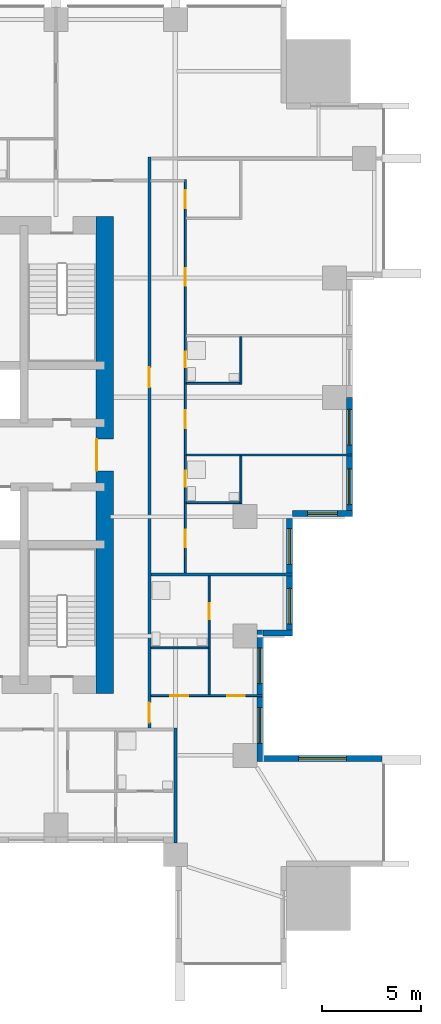
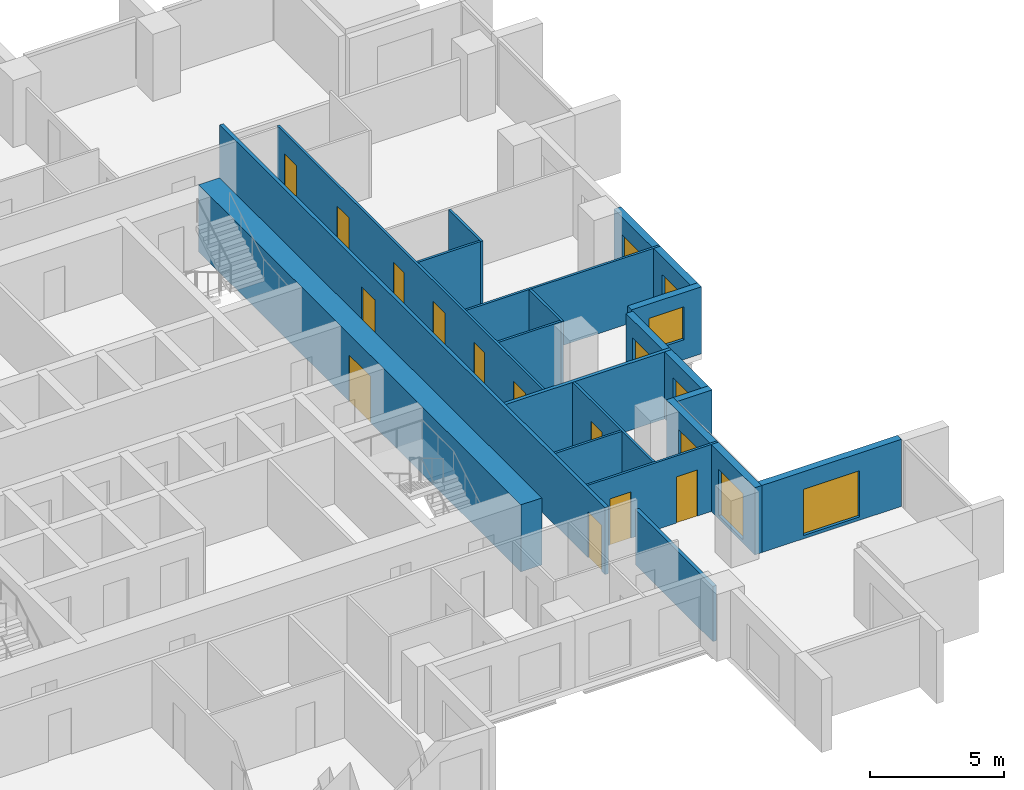
# One storey, part 6 of 10: 19 walls, 12 doors, 8 windows, 20 openings.
"""IFC4 building model written with IfcOpenShell, lengths in metres."""

from ifc_helpers import new_model, si_unit, direction, frame, frame_2d, origin, place, context, subcontext, project, spatial, rectangle, extrude, material, layer, layer_set, type_object, element, fill, save


model = new_model("IFC4")

# Units and contexts
model_context = context("Model", 3, precision=1e-05, world=origin(), true_north=direction((0.0, 1.0)))
body_context = subcontext(model_context, "Body", "Model", "MODEL_VIEW")
ifc_project = project(units=[si_unit("LENGTHUNIT", "METRE"), si_unit("AREAUNIT", "SQUARE_METRE"), si_unit("VOLUMEUNIT", "CUBIC_METRE"), si_unit("PLANEANGLEUNIT", "RADIAN"), si_unit("MASSUNIT", "GRAM", prefix="KILO")], contexts=[model_context])

# Site, building, storey
site_placement = place(None, origin())
site = spatial("IfcSite", under=ifc_project, at=site_placement, CompositionType="ELEMENT")
building_placement = place(site_placement, origin())
building = spatial("IfcBuilding", under=site, at=building_placement, Name="Amberfall Residences", CompositionType="ELEMENT")
storey_placement = place(building_placement, frame((0.0, 0.0, 49.89990234375)))
storey = spatial("IfcBuildingStorey", under=building, at=storey_placement, Name="L13", CompositionType="ELEMENT", Elevation=49.89990234375)

# Wall, opening, window
ifc_material_1 = material(Name="Pale stone cladding on insulated backing", Category="masonry")
ifc_layer_1 = layer(ifc_material_1, 0.300048828125)
ifc_layer_set_1 = layer_set([ifc_layer_1], Name="Bronze clad wall 300")
wall_type_1 = type_object("IfcWallType", Name="Bronze clad wall 300", PredefinedType="SOLIDWALL", material=ifc_layer_set_1)
wall_1_placement = place(storey_placement, frame((100.0, 30.25, 0.0), z_axis=(0.0, 0.0, 1.0), x_axis=(-1.0, 0.0, 0.0)))
wall_1 = element("IfcWall", 1, at=wall_1_placement, inside=storey, type_object=wall_type_1, Name="External wall L13 E", PredefinedType="SOLIDWALL", context=body_context, shape_type="SweptSolid", body=[
    extrude(rectangle(XDim=6.0, YDim=0.300048828125, at=frame_2d((3.0, 0.0))), origin(), (0.0, 0.0, 1.0), 3.050048828125),
])
opening_1_placement = place(wall_1_placement, frame((1.800048828125, 0.0, 0.14990234375)))
opening_1 = element("IfcOpeningElement", 2, at=opening_1_placement, cuts=wall_1, Name="Opening WN5", PredefinedType="OPENING", context=body_context, shape_type="SweptSolid", body=[
    extrude(rectangle(XDim=2.39990234375, YDim=2.10009765625, at=frame_2d((1.199951171875, 1.050048828125))), frame((0.0, 0.159912109375, 0.0), z_axis=(0.0, -1.0, 0.0), x_axis=(1.0, 0.0, 0.0)), (0.0, 0.0, 1.0), 0.320068359375),
])
ifc_material_2 = material(Name="Bronze aluminium framed glazing", Category="aluminium")
window_type_1 = type_object("IfcWindowType", Name="Glazed opening 2400 x 2100 bronze", PartitioningType="DOUBLE_PANEL_VERTICAL", PredefinedType="WINDOW", material=ifc_material_2)
window_1_placement = place(opening_1_placement, origin())
window_1 = element("IfcWindow", 3, at=window_1_placement, inside=storey, type_object=window_type_1, Name="Window L13 E", OverallHeight=2.10009765625, OverallWidth=2.39990234375, PartitioningType="DOUBLE_PANEL_VERTICAL", PredefinedType="WINDOW", context=body_context, shape_type="SweptSolid", body=[
    extrude(rectangle(XDim=2.39990234375, YDim=2.10009765625, at=frame_2d((1.199951171875, 1.050048828125))), frame((0.0, 0.030029296875, 0.0), z_axis=(0.0, -1.0, 0.0), x_axis=(1.0, 0.0, 0.0)), (0.0, 0.0, 1.0), 0.06005859375),
])
fill(opening_1, window_1)

# Wall
wall_2_placement = place(storey_placement, frame((94.0, 36.550048828125, 0.0), z_axis=(0.0, 0.0, 1.0), x_axis=(1.0, 0.0, 0.0)))
element("IfcWall", 4, at=wall_2_placement, inside=storey, type_object=wall_type_1, Name="External wall L13 E", PredefinedType="SOLIDWALL", context=body_context, shape_type="SweptSolid", body=[
    extrude(rectangle(XDim=1.5, YDim=0.300048828125, at=frame_2d((0.75, 0.0))), origin(), (0.0, 0.0, 1.0), 3.050048828125),
])

# Wall, opening, window
wall_3_placement = place(storey_placement, frame((95.5, 42.550048828125, 0.0), z_axis=(0.0, 0.0, 1.0), x_axis=(1.0, 0.0, 0.0)))
wall_3 = element("IfcWall", 5, at=wall_3_placement, inside=storey, type_object=wall_type_1, Name="External wall L13 E", PredefinedType="SOLIDWALL", context=body_context, shape_type="SweptSolid", body=[
    extrude(rectangle(XDim=3.0, YDim=0.300048828125, at=frame_2d((1.5, 0.0))), origin(), (0.0, 0.0, 1.0), 3.050048828125),
])
opening_2_placement = place(wall_3_placement, frame((0.75, 0.0, 0.89990234375)))
opening_2 = element("IfcOpeningElement", 6, at=opening_2_placement, cuts=wall_3, Name="Opening WN1", PredefinedType="OPENING", context=body_context, shape_type="SweptSolid", body=[
    extrude(rectangle(XDim=1.5, YDim=1.5, at=frame_2d((0.75, 0.75))), frame((0.0, 0.159912109375, 0.0), z_axis=(0.0, -1.0, 0.0), x_axis=(1.0, 0.0, 0.0)), (0.0, 0.0, 1.0), 0.320068359375),
])
window_type_2 = type_object("IfcWindowType", Name="Window 1500 x 1500 bronze", PartitioningType="DOUBLE_PANEL_VERTICAL", PredefinedType="WINDOW", material=ifc_material_2)
window_2_placement = place(opening_2_placement, origin())
window_2 = element("IfcWindow", 7, at=window_2_placement, inside=storey, type_object=window_type_2, Name="Window L13 E", OverallHeight=1.5, OverallWidth=1.5, PartitioningType="DOUBLE_PANEL_VERTICAL", PredefinedType="WINDOW", context=body_context, shape_type="SweptSolid", body=[
    extrude(rectangle(XDim=1.5, YDim=1.5, at=frame_2d((0.75, 0.75))), frame((0.0, 0.030029296875, 0.0), z_axis=(0.0, -1.0, 0.0), x_axis=(1.0, 0.0, 0.0)), (0.0, 0.0, 1.0), 0.06005859375),
])
fill(opening_2, window_2)

# Wall, openings, windows
wall_4_placement = place(storey_placement, frame((93.85009765625, 30.10009765625, 0.0), z_axis=(0.0, 0.0, 1.0), x_axis=(0.0, 1.0, 0.0)))
wall_4 = element("IfcWall", 8, at=wall_4_placement, inside=storey, type_object=wall_type_1, Name="Stone wall L13 E", PredefinedType="SOLIDWALL", context=body_context, shape_type="SweptSolid", body=[
    extrude(rectangle(XDim=6.599853515625, YDim=0.300048828125, at=frame_2d((3.2998046875, 0.0))), origin(), (0.0, 0.0, 1.0), 3.050048828125),
])
opening_3_placement = place(wall_4_placement, frame((0.89990234375, 0.0, 0.14990234375)))
opening_3 = element("IfcOpeningElement", 9, at=opening_3_placement, cuts=wall_4, Name="Opening WN6", PredefinedType="OPENING", context=body_context, shape_type="SweptSolid", body=[
    extrude(rectangle(XDim=1.800048828125, YDim=2.10009765625, at=frame_2d((0.89990234375, 1.050048828125))), frame((0.0, 0.159912109375, 0.0), z_axis=(0.0, -1.0, 0.0), x_axis=(1.0, 0.0, 0.0)), (0.0, 0.0, 1.0), 0.320068359375),
])
opening_4_placement = place(wall_4_placement, frame((3.89990234375, 0.0, 0.14990234375)))
opening_4 = element("IfcOpeningElement", 10, at=opening_4_placement, cuts=wall_4, Name="Opening WN6", PredefinedType="OPENING", context=body_context, shape_type="SweptSolid", body=[
    extrude(rectangle(XDim=1.800048828125, YDim=2.10009765625, at=frame_2d((0.89990234375, 1.050048828125))), frame((0.0, 0.159912109375, 0.0), z_axis=(0.0, -1.0, 0.0), x_axis=(1.0, 0.0, 0.0)), (0.0, 0.0, 1.0), 0.320068359375),
])
window_type_3 = type_object("IfcWindowType", Name="Glazed opening 1800 x 2100 bronze", PartitioningType="DOUBLE_PANEL_VERTICAL", PredefinedType="WINDOW", material=ifc_material_2)
window_3_placement = place(opening_3_placement, origin())
window_3 = element("IfcWindow", 11, at=window_3_placement, inside=storey, type_object=window_type_3, Name="Window L13 E", OverallHeight=2.10009765625, OverallWidth=1.800048828125, PartitioningType="DOUBLE_PANEL_VERTICAL", PredefinedType="WINDOW", context=body_context, shape_type="SweptSolid", body=[
    extrude(rectangle(XDim=1.800048828125, YDim=2.10009765625, at=frame_2d((0.89990234375, 1.050048828125))), frame((0.0, 0.030029296875, 0.0), z_axis=(0.0, -1.0, 0.0), x_axis=(1.0, 0.0, 0.0)), (0.0, 0.0, 1.0), 0.06005859375),
])
fill(opening_3, window_3)
window_4_placement = place(opening_4_placement, origin())
window_4 = element("IfcWindow", 12, at=window_4_placement, inside=storey, type_object=window_type_3, Name="Window L13 E", OverallHeight=2.10009765625, OverallWidth=1.800048828125, PartitioningType="DOUBLE_PANEL_VERTICAL", PredefinedType="WINDOW", context=body_context, shape_type="SweptSolid", body=[
    extrude(rectangle(XDim=1.800048828125, YDim=2.10009765625, at=frame_2d((0.89990234375, 1.050048828125))), frame((0.0, 0.030029296875, 0.0), z_axis=(0.0, -1.0, 0.0), x_axis=(1.0, 0.0, 0.0)), (0.0, 0.0, 1.0), 0.06005859375),
])
fill(opening_4, window_4)

wall_5_placement = place(storey_placement, frame((95.35009765625, 36.699951171875, 0.0), z_axis=(0.0, 0.0, 1.0), x_axis=(0.0, 1.0, 0.0)))
wall_5 = element("IfcWall", 13, at=wall_5_placement, inside=storey, type_object=wall_type_1, Name="Stone wall L13 E", PredefinedType="SOLIDWALL", context=body_context, shape_type="SweptSolid", body=[
    extrude(rectangle(XDim=5.610107421875, YDim=0.300048828125, at=frame_2d((2.80517578125, 0.0))), origin(), (0.0, 0.0, 1.0), 3.050048828125),
])
opening_5_placement = place(wall_5_placement, frame((0.300048828125, 0.0, 0.14990234375)))
opening_5 = element("IfcOpeningElement", 14, at=opening_5_placement, cuts=wall_5, Name="Opening WN6", PredefinedType="OPENING", context=body_context, shape_type="SweptSolid", body=[
    extrude(rectangle(XDim=1.800048828125, YDim=2.10009765625, at=frame_2d((0.89990234375, 1.050048828125))), frame((0.0, 0.159912109375, 0.0), z_axis=(0.0, -1.0, 0.0), x_axis=(1.0, 0.0, 0.0)), (0.0, 0.0, 1.0), 0.320068359375),
])
opening_6_placement = place(wall_5_placement, frame((3.300048828125, 0.0, 0.14990234375)))
opening_6 = element("IfcOpeningElement", 15, at=opening_6_placement, cuts=wall_5, Name="Opening WN6", PredefinedType="OPENING", context=body_context, shape_type="SweptSolid", body=[
    extrude(rectangle(XDim=1.800048828125, YDim=2.10009765625, at=frame_2d((0.89990234375, 1.050048828125))), frame((0.0, 0.159912109375, 0.0), z_axis=(0.0, -1.0, 0.0), x_axis=(1.0, 0.0, 0.0)), (0.0, 0.0, 1.0), 0.320068359375),
])
window_5_placement = place(opening_5_placement, origin())
window_5 = element("IfcWindow", 16, at=window_5_placement, inside=storey, type_object=window_type_3, Name="Window L13 E", OverallHeight=2.10009765625, OverallWidth=1.800048828125, PartitioningType="DOUBLE_PANEL_VERTICAL", PredefinedType="WINDOW", context=body_context, shape_type="SweptSolid", body=[
    extrude(rectangle(XDim=1.800048828125, YDim=2.10009765625, at=frame_2d((0.89990234375, 1.050048828125))), frame((0.0, 0.030029296875, 0.0), z_axis=(0.0, -1.0, 0.0), x_axis=(1.0, 0.0, 0.0)), (0.0, 0.0, 1.0), 0.06005859375),
])
fill(opening_5, window_5)
window_6_placement = place(opening_6_placement, origin())
window_6 = element("IfcWindow", 17, at=window_6_placement, inside=storey, type_object=window_type_3, Name="Window L13 E", OverallHeight=2.10009765625, OverallWidth=1.800048828125, PartitioningType="DOUBLE_PANEL_VERTICAL", PredefinedType="WINDOW", context=body_context, shape_type="SweptSolid", body=[
    extrude(rectangle(XDim=1.800048828125, YDim=2.10009765625, at=frame_2d((0.89990234375, 1.050048828125))), frame((0.0, 0.030029296875, 0.0), z_axis=(0.0, -1.0, 0.0), x_axis=(1.0, 0.0, 0.0)), (0.0, 0.0, 1.0), 0.06005859375),
])
fill(opening_6, window_6)

wall_6_placement = place(storey_placement, frame((98.35009765625, 42.699951171875, 0.0), z_axis=(0.0, 0.0, 1.0), x_axis=(0.0, 1.0, 0.0)))
wall_6 = element("IfcWall", 18, at=wall_6_placement, inside=storey, type_object=wall_type_1, Name="Stone wall L13 E", PredefinedType="SOLIDWALL", context=body_context, shape_type="SweptSolid", body=[
    extrude(rectangle(XDim=5.699951171875, YDim=0.300048828125, at=frame_2d((2.85009765625, 0.0))), origin(), (0.0, 0.0, 1.0), 3.050048828125),
])
opening_7_placement = place(wall_6_placement, frame((0.300048828125, 0.0, 0.14990234375)))
opening_7 = element("IfcOpeningElement", 19, at=opening_7_placement, cuts=wall_6, Name="Opening WN6", PredefinedType="OPENING", context=body_context, shape_type="SweptSolid", body=[
    extrude(rectangle(XDim=1.800048828125, YDim=2.10009765625, at=frame_2d((0.89990234375, 1.050048828125))), frame((0.0, 0.159912109375, 0.0), z_axis=(0.0, -1.0, 0.0), x_axis=(1.0, 0.0, 0.0)), (0.0, 0.0, 1.0), 0.320068359375),
])
opening_8_placement = place(wall_6_placement, frame((3.300048828125, 0.0, 0.14990234375)))
opening_8 = element("IfcOpeningElement", 20, at=opening_8_placement, cuts=wall_6, Name="Opening WN6", PredefinedType="OPENING", context=body_context, shape_type="SweptSolid", body=[
    extrude(rectangle(XDim=1.800048828125, YDim=2.10009765625, at=frame_2d((0.89990234375, 1.050048828125))), frame((0.0, 0.159912109375, 0.0), z_axis=(0.0, -1.0, 0.0), x_axis=(1.0, 0.0, 0.0)), (0.0, 0.0, 1.0), 0.320068359375),
])
window_7_placement = place(opening_7_placement, origin())
window_7 = element("IfcWindow", 21, at=window_7_placement, inside=storey, type_object=window_type_3, Name="Window L13 E", OverallHeight=2.10009765625, OverallWidth=1.800048828125, PartitioningType="DOUBLE_PANEL_VERTICAL", PredefinedType="WINDOW", context=body_context, shape_type="SweptSolid", body=[
    extrude(rectangle(XDim=1.800048828125, YDim=2.10009765625, at=frame_2d((0.89990234375, 1.050048828125))), frame((0.0, 0.030029296875, 0.0), z_axis=(0.0, -1.0, 0.0), x_axis=(1.0, 0.0, 0.0)), (0.0, 0.0, 1.0), 0.06005859375),
])
fill(opening_7, window_7)
window_8_placement = place(opening_8_placement, origin())
window_8 = element("IfcWindow", 22, at=window_8_placement, inside=storey, type_object=window_type_3, Name="Window L13 E", OverallHeight=2.10009765625, OverallWidth=1.800048828125, PartitioningType="DOUBLE_PANEL_VERTICAL", PredefinedType="WINDOW", context=body_context, shape_type="SweptSolid", body=[
    extrude(rectangle(XDim=1.800048828125, YDim=2.10009765625, at=frame_2d((0.89990234375, 1.050048828125))), frame((0.0, 0.030029296875, 0.0), z_axis=(0.0, -1.0, 0.0), x_axis=(1.0, 0.0, 0.0)), (0.0, 0.0, 1.0), 0.06005859375),
])
fill(opening_8, window_8)

# Wall, opening, door
ifc_material_3 = material(Name="Concrete C80", Category="concrete")
ifc_layer_2 = layer(ifc_material_3, 0.89990234375)
ifc_layer_set_2 = layer_set([ifc_layer_2], Name="Core wall 900 C80")
wall_type_2 = type_object("IfcWallType", Name="Core wall 900 C80", PredefinedType="SHEAR", material=ifc_layer_set_2)
wall_7_placement = place(storey_placement, frame((86.050048828125, 33.5, 0.0), z_axis=(0.0, 0.0, 1.0), x_axis=(0.0, 1.0, 0.0)))
wall_7 = element("IfcWall", 23, at=wall_7_placement, inside=storey, type_object=wall_type_2, Name="Core wall RW1 L13 OE", PredefinedType="SHEAR", context=body_context, shape_type="SweptSolid", body=[
    extrude(rectangle(XDim=24.0, YDim=0.89990234375, at=frame_2d((12.0, 0.0))), origin(), (0.0, 0.0, 1.0), 3.050048828125),
])
opening_9_placement = place(wall_7_placement, frame((11.199951171875, 0.0, 0.0)))
opening_9 = element("IfcOpeningElement", 24, at=opening_9_placement, cuts=wall_7, Name="Opening LB1", PredefinedType="OPENING", context=body_context, shape_type="SweptSolid", body=[
    extrude(rectangle(XDim=1.60009765625, YDim=2.10009765625, at=frame_2d((0.800048828125, 1.050048828125))), frame((0.0, 0.4599609375, 0.0), z_axis=(0.0, -1.0, 0.0), x_axis=(1.0, 0.0, 0.0)), (0.0, 0.0, 1.0), 0.919921875),
])
ifc_material_4 = material(Name="Steel fire door set", Category="steel")
door_type_1 = type_object("IfcDoorType", Name="Lift lobby double door 1600 x 2100", OperationType="DOUBLE_DOOR_SINGLE_SWING", PredefinedType="DOOR", material=ifc_material_4)
door_1_placement = place(opening_9_placement, origin())
door_1 = element("IfcDoor", 25, at=door_1_placement, inside=storey, type_object=door_type_1, Name="LB1 L13", OperationType="DOUBLE_DOOR_SINGLE_SWING", OverallHeight=2.10009765625, OverallWidth=1.60009765625, PredefinedType="DOOR", context=body_context, shape_type="SweptSolid", body=[
    extrude(rectangle(XDim=1.60009765625, YDim=2.10009765625, at=frame_2d((0.800048828125, 1.050048828125))), frame((0.0, 0.4375, 0.0), z_axis=(0.0, -1.0, 0.0), x_axis=(1.0, 0.0, 0.0)), (0.0, 0.0, 1.0), 0.050048828125),
])
fill(opening_9, door_1)

# Wall, openings, doors
ifc_material_5 = material(Name="Gypsum board on metal stud")
ifc_layer_3 = layer(ifc_material_5, 0.10009765625)
ifc_layer_set_3 = layer_set([ifc_layer_3], Name="Flat partition 100")
wall_type_3 = type_object("IfcWallType", Name="Flat partition 100", PredefinedType="PARTITIONING", material=ifc_layer_set_3)
wall_8_placement = place(storey_placement, frame((90.10009765625, 59.35009765625, 0.0), z_axis=(0.0, 0.0, 1.0), x_axis=(0.0, -1.0, 0.0)))
wall_8 = element("IfcWall", 26, at=wall_8_placement, inside=storey, type_object=wall_type_3, Name="Partition 019", PredefinedType="PARTITIONING", context=body_context, shape_type="SweptSolid", body=[
    extrude(rectangle(XDim=19.775146484375, YDim=0.10009765625, at=frame_2d((9.8876953125, 0.0))), origin(), (0.0, 0.0, 1.0), 3.050048828125),
])
opening_10_placement = place(wall_8_placement, frame((4.449951171875, 0.0, 0.0)))
opening_10 = element("IfcOpeningElement", 27, at=opening_10_placement, cuts=wall_8, Name="Opening D41", PredefinedType="OPENING", context=body_context, shape_type="SweptSolid", body=[
    extrude(rectangle(XDim=0.89990234375, YDim=2.10009765625, at=frame_2d((0.449951171875, 1.050048828125))), frame((0.0, 0.06005859375, 0.0), z_axis=(0.0, -1.0, 0.0), x_axis=(1.0, 0.0, 0.0)), (0.0, 0.0, 1.0), 0.1201171875),
])
opening_11_placement = place(wall_8_placement, frame((0.550048828125, 0.0, 0.0)))
opening_11 = element("IfcOpeningElement", 28, at=opening_11_placement, cuts=wall_8, Name="Opening D41", PredefinedType="OPENING", context=body_context, shape_type="SweptSolid", body=[
    extrude(rectangle(XDim=0.89990234375, YDim=2.10009765625, at=frame_2d((0.449951171875, 1.050048828125))), frame((0.0, 0.06005859375, 0.0), z_axis=(0.0, -1.0, 0.0), x_axis=(1.0, 0.0, 0.0)), (0.0, 0.0, 1.0), 0.1201171875),
])
opening_12_placement = place(wall_8_placement, frame((17.60009765625, 0.0, 0.0)))
opening_12 = element("IfcOpeningElement", 29, at=opening_12_placement, cuts=wall_8, Name="Opening D41", PredefinedType="OPENING", context=body_context, shape_type="SweptSolid", body=[
    extrude(rectangle(XDim=0.89990234375, YDim=2.10009765625, at=frame_2d((0.449951171875, 1.050048828125))), frame((0.0, 0.06005859375, 0.0), z_axis=(0.0, -1.0, 0.0), x_axis=(1.0, 0.0, 0.0)), (0.0, 0.0, 1.0), 0.1201171875),
])
opening_13_placement = place(wall_8_placement, frame((11.60009765625, 0.0, 0.0)))
opening_13 = element("IfcOpeningElement", 30, at=opening_13_placement, cuts=wall_8, Name="Opening D41", PredefinedType="OPENING", context=body_context, shape_type="SweptSolid", body=[
    extrude(rectangle(XDim=0.89990234375, YDim=2.10009765625, at=frame_2d((0.449951171875, 1.050048828125))), frame((0.0, 0.06005859375, 0.0), z_axis=(0.0, -1.0, 0.0), x_axis=(1.0, 0.0, 0.0)), (0.0, 0.0, 1.0), 0.1201171875),
])
opening_14_placement = place(wall_8_placement, frame((14.64990234375, 0.0, 0.0)))
opening_14 = element("IfcOpeningElement", 31, at=opening_14_placement, cuts=wall_8, Name="Opening D42", PredefinedType="OPENING", context=body_context, shape_type="SweptSolid", body=[
    extrude(rectangle(XDim=0.800048828125, YDim=2.10009765625, at=frame_2d((0.39990234375, 1.050048828125))), frame((0.0, 0.06005859375, 0.0), z_axis=(0.0, -1.0, 0.0), x_axis=(1.0, 0.0, 0.0)), (0.0, 0.0, 1.0), 0.1201171875),
])
opening_15_placement = place(wall_8_placement, frame((8.64990234375, 0.0, 0.0)))
opening_15 = element("IfcOpeningElement", 32, at=opening_15_placement, cuts=wall_8, Name="Opening D42", PredefinedType="OPENING", context=body_context, shape_type="SweptSolid", body=[
    extrude(rectangle(XDim=0.800048828125, YDim=2.10009765625, at=frame_2d((0.39990234375, 1.050048828125))), frame((0.0, 0.06005859375, 0.0), z_axis=(0.0, -1.0, 0.0), x_axis=(1.0, 0.0, 0.0)), (0.0, 0.0, 1.0), 0.1201171875),
])
ifc_material_6 = material(Name="Timber", Category="wood")
door_type_2 = type_object("IfcDoorType", Name="Bathroom door 800 x 2100", OperationType="SINGLE_SWING_LEFT", PredefinedType="DOOR", material=ifc_material_6)
door_2_placement = place(opening_14_placement, origin())
door_2 = element("IfcDoor", 33, at=door_2_placement, inside=storey, type_object=door_type_2, Name="Door 1304 bath1", OperationType="SINGLE_SWING_LEFT", OverallHeight=2.10009765625, OverallWidth=0.800048828125, PredefinedType="DOOR", context=body_context, shape_type="SweptSolid", body=[
    extrude(rectangle(XDim=0.800048828125, YDim=2.10009765625, at=frame_2d((0.39990234375, 1.050048828125))), frame((0.0, 0.02490234375, 0.0), z_axis=(0.0, -1.0, 0.0), x_axis=(1.0, 0.0, 0.0)), (0.0, 0.0, 1.0), 0.050048828125),
])
fill(opening_14, door_2)
door_3_placement = place(opening_15_placement, origin())
door_3 = element("IfcDoor", 34, at=door_3_placement, inside=storey, type_object=door_type_2, Name="Door 1304 bath2", OperationType="SINGLE_SWING_LEFT", OverallHeight=2.10009765625, OverallWidth=0.800048828125, PredefinedType="DOOR", context=body_context, shape_type="SweptSolid", body=[
    extrude(rectangle(XDim=0.800048828125, YDim=2.10009765625, at=frame_2d((0.39990234375, 1.050048828125))), frame((0.0, 0.02490234375, 0.0), z_axis=(0.0, -1.0, 0.0), x_axis=(1.0, 0.0, 0.0)), (0.0, 0.0, 1.0), 0.050048828125),
])
fill(opening_15, door_3)
door_type_3 = type_object("IfcDoorType", Name="Internal door 900 x 2100", OperationType="SINGLE_SWING_LEFT", PredefinedType="DOOR", material=ifc_material_6)
door_4_placement = place(opening_10_placement, origin())
door_4 = element("IfcDoor", 35, at=door_4_placement, inside=storey, type_object=door_type_3, Name="Door 1304 living", OperationType="SINGLE_SWING_LEFT", OverallHeight=2.10009765625, OverallWidth=0.89990234375, PredefinedType="DOOR", context=body_context, shape_type="SweptSolid", body=[
    extrude(rectangle(XDim=0.89990234375, YDim=2.10009765625, at=frame_2d((0.449951171875, 1.050048828125))), frame((0.0, 0.02490234375, 0.0), z_axis=(0.0, -1.0, 0.0), x_axis=(1.0, 0.0, 0.0)), (0.0, 0.0, 1.0), 0.050048828125),
])
fill(opening_10, door_4)
door_5_placement = place(opening_11_placement, origin())
door_5 = element("IfcDoor", 36, at=door_5_placement, inside=storey, type_object=door_type_3, Name="Door 1304 kitchen", OperationType="SINGLE_SWING_LEFT", OverallHeight=2.10009765625, OverallWidth=0.89990234375, PredefinedType="DOOR", context=body_context, shape_type="SweptSolid", body=[
    extrude(rectangle(XDim=0.89990234375, YDim=2.10009765625, at=frame_2d((0.449951171875, 1.050048828125))), frame((0.0, 0.02490234375, 0.0), z_axis=(0.0, -1.0, 0.0), x_axis=(1.0, 0.0, 0.0)), (0.0, 0.0, 1.0), 0.050048828125),
])
fill(opening_11, door_5)
door_6_placement = place(opening_12_placement, origin())
door_6 = element("IfcDoor", 37, at=door_6_placement, inside=storey, type_object=door_type_3, Name="Door 1304 bedroom1", OperationType="SINGLE_SWING_LEFT", OverallHeight=2.10009765625, OverallWidth=0.89990234375, PredefinedType="DOOR", context=body_context, shape_type="SweptSolid", body=[
    extrude(rectangle(XDim=0.89990234375, YDim=2.10009765625, at=frame_2d((0.449951171875, 1.050048828125))), frame((0.0, 0.02490234375, 0.0), z_axis=(0.0, -1.0, 0.0), x_axis=(1.0, 0.0, 0.0)), (0.0, 0.0, 1.0), 0.050048828125),
])
fill(opening_12, door_6)
door_7_placement = place(opening_13_placement, origin())
door_7 = element("IfcDoor", 38, at=door_7_placement, inside=storey, type_object=door_type_3, Name="Door 1304 bedroom2", OperationType="SINGLE_SWING_LEFT", OverallHeight=2.10009765625, OverallWidth=0.89990234375, PredefinedType="DOOR", context=body_context, shape_type="SweptSolid", body=[
    extrude(rectangle(XDim=0.89990234375, YDim=2.10009765625, at=frame_2d((0.449951171875, 1.050048828125))), frame((0.0, 0.02490234375, 0.0), z_axis=(0.0, -1.0, 0.0), x_axis=(1.0, 0.0, 0.0)), (0.0, 0.0, 1.0), 0.050048828125),
])
fill(opening_13, door_7)

# Wall, opening, door
wall_9_placement = place(storey_placement, frame((91.300048828125, 33.449951171875, 0.0), z_axis=(0.0, 0.0, 1.0), x_axis=(0.0, 1.0, 0.0)))
wall_9 = element("IfcWall", 39, at=wall_9_placement, inside=storey, type_object=wall_type_3, Name="Partition 020", PredefinedType="PARTITIONING", context=body_context, shape_type="SweptSolid", body=[
    extrude(rectangle(XDim=5.97509765625, YDim=0.10009765625, at=frame_2d((2.987548828125, 0.0))), origin(), (0.0, 0.0, 1.0), 3.050048828125),
])
opening_16_placement = place(wall_9_placement, frame((3.800048828125, 0.0, 0.0)))
opening_16 = element("IfcOpeningElement", 40, at=opening_16_placement, cuts=wall_9, Name="Opening D42", PredefinedType="OPENING", context=body_context, shape_type="SweptSolid", body=[
    extrude(rectangle(XDim=0.800048828125, YDim=2.10009765625, at=frame_2d((0.39990234375, 1.050048828125))), frame((0.0, 0.06005859375, 0.0), z_axis=(0.0, -1.0, 0.0), x_axis=(1.0, 0.0, 0.0)), (0.0, 0.0, 1.0), 0.1201171875),
])
door_8_placement = place(opening_16_placement, origin())
door_8 = element("IfcDoor", 41, at=door_8_placement, inside=storey, type_object=door_type_2, Name="Door 1303 bath1", OperationType="SINGLE_SWING_LEFT", OverallHeight=2.10009765625, OverallWidth=0.800048828125, PredefinedType="DOOR", context=body_context, shape_type="SweptSolid", body=[
    extrude(rectangle(XDim=0.800048828125, YDim=2.10009765625, at=frame_2d((0.39990234375, 1.050048828125))), frame((0.0, 0.02490234375, 0.0), z_axis=(0.0, -1.0, 0.0), x_axis=(1.0, 0.0, 0.0)), (0.0, 0.0, 1.0), 0.050048828125),
])
fill(opening_16, door_8)

# Walls
for number, where, z_axis, x_axis, name in (
    (42, (92.89990234375, 43.050048828125, 0.0), (0.0, 0.0, 1.0), (0.0, 1.0, 0.0), "Partition 021"),
    (43, (92.89990234375, 49.050048828125, 0.0), (0.0, 0.0, 1.0), (0.0, 1.0, 0.0), "Partition 022"),
):
    element("IfcWall", number, at=place(storey_placement, frame(where, z_axis=z_axis, x_axis=x_axis)), inside=storey, type_object=wall_type_3, Name=name, PredefinedType="PARTITIONING", context=body_context, shape_type="SweptSolid", body=[
        extrude(rectangle(XDim=2.39990234375, YDim=0.10009765625, at=frame_2d((1.199951171875, 0.0))), origin(), (0.0, 0.0, 1.0), 3.050048828125),
    ])
wall_10_placement = place(storey_placement, frame((90.14990234375, 49.10009765625, 0.0), z_axis=(0.0, 0.0, 1.0), x_axis=(1.0, 0.0, 0.0)))
element("IfcWall", 44, at=wall_10_placement, inside=storey, type_object=wall_type_3, Name="Partition 034", PredefinedType="PARTITIONING", context=body_context, shape_type="SweptSolid", body=[
    extrude(rectangle(XDim=2.7001953125, YDim=0.10009765625, at=frame_2d((1.35009765625, 0.0))), origin(), (0.0, 0.0, 1.0), 3.050048828125),
])
wall_11_placement = place(storey_placement, frame((90.14990234375, 45.5, 0.0), z_axis=(0.0, 0.0, 1.0), x_axis=(1.0, 0.0, 0.0)))
element("IfcWall", 45, at=wall_11_placement, inside=storey, type_object=wall_type_3, Name="Partition 035", PredefinedType="PARTITIONING", context=body_context, shape_type="SweptSolid", body=[
    extrude(rectangle(XDim=8.35009765625, YDim=0.10009765625, at=frame_2d((4.175048828125, 0.0))), origin(), (0.0, 0.0, 1.0), 3.050048828125),
])
wall_12_placement = place(storey_placement, frame((90.14990234375, 43.10009765625, 0.0), z_axis=(0.0, 0.0, 1.0), x_axis=(1.0, 0.0, 0.0)))
element("IfcWall", 46, at=wall_12_placement, inside=storey, type_object=wall_type_3, Name="Partition 037", PredefinedType="PARTITIONING", context=body_context, shape_type="SweptSolid", body=[
    extrude(rectangle(XDim=2.7001953125, YDim=0.10009765625, at=frame_2d((1.35009765625, 0.0))), origin(), (0.0, 0.0, 1.0), 3.050048828125),
])
wall_13_placement = place(storey_placement, frame((88.375, 35.800048828125, 0.0), z_axis=(0.0, 0.0, 1.0), x_axis=(1.0, 0.0, 0.0)))
element("IfcWall", 47, at=wall_13_placement, inside=storey, type_object=wall_type_3, Name="Partition 041", PredefinedType="PARTITIONING", context=body_context, shape_type="SweptSolid", body=[
    extrude(rectangle(XDim=2.875, YDim=0.10009765625, at=frame_2d((1.4375, 0.0))), origin(), (0.0, 0.0, 1.0), 3.050048828125),
])

# Wall, openings, doors
wall_14_placement = place(storey_placement, frame((88.375, 33.39990234375, 0.0), z_axis=(0.0, 0.0, 1.0), x_axis=(1.0, 0.0, 0.0)))
wall_14 = element("IfcWall", 48, at=wall_14_placement, inside=storey, type_object=wall_type_3, Name="Partition 042", PredefinedType="PARTITIONING", context=body_context, shape_type="SweptSolid", body=[
    extrude(rectangle(XDim=5.625, YDim=0.10009765625, at=frame_2d((2.8125, 0.0))), origin(), (0.0, 0.0, 1.0), 3.050048828125),
])
opening_17_placement = place(wall_14_placement, frame((0.97509765625, 0.0, 0.0)))
opening_17 = element("IfcOpeningElement", 49, at=opening_17_placement, cuts=wall_14, Name="Opening D41", PredefinedType="OPENING", context=body_context, shape_type="SweptSolid", body=[
    extrude(rectangle(XDim=0.89990234375, YDim=2.10009765625, at=frame_2d((0.449951171875, 1.050048828125))), frame((0.0, 0.06005859375, 0.0), z_axis=(0.0, -1.0, 0.0), x_axis=(1.0, 0.0, 0.0)), (0.0, 0.0, 1.0), 0.1201171875),
])
opening_18_placement = place(wall_14_placement, frame((3.824951171875, 0.0, 0.0)))
opening_18 = element("IfcOpeningElement", 50, at=opening_18_placement, cuts=wall_14, Name="Opening D41", PredefinedType="OPENING", context=body_context, shape_type="SweptSolid", body=[
    extrude(rectangle(XDim=0.89990234375, YDim=2.10009765625, at=frame_2d((0.449951171875, 1.050048828125))), frame((0.0, 0.06005859375, 0.0), z_axis=(0.0, -1.0, 0.0), x_axis=(1.0, 0.0, 0.0)), (0.0, 0.0, 1.0), 0.1201171875),
])
door_9_placement = place(opening_17_placement, origin())
door_9 = element("IfcDoor", 51, at=door_9_placement, inside=storey, type_object=door_type_3, Name="Door 1303 kitchen", OperationType="SINGLE_SWING_LEFT", OverallHeight=2.10009765625, OverallWidth=0.89990234375, PredefinedType="DOOR", context=body_context, shape_type="SweptSolid", body=[
    extrude(rectangle(XDim=0.89990234375, YDim=2.10009765625, at=frame_2d((0.449951171875, 1.050048828125))), frame((0.0, 0.02490234375, 0.0), z_axis=(0.0, -1.0, 0.0), x_axis=(1.0, 0.0, 0.0)), (0.0, 0.0, 1.0), 0.050048828125),
])
fill(opening_17, door_9)
door_10_placement = place(opening_18_placement, origin())
door_10 = element("IfcDoor", 52, at=door_10_placement, inside=storey, type_object=door_type_3, Name="Door 1303 bedroom1", OperationType="SINGLE_SWING_LEFT", OverallHeight=2.10009765625, OverallWidth=0.89990234375, PredefinedType="DOOR", context=body_context, shape_type="SweptSolid", body=[
    extrude(rectangle(XDim=0.89990234375, YDim=2.10009765625, at=frame_2d((0.449951171875, 1.050048828125))), frame((0.0, 0.02490234375, 0.0), z_axis=(0.0, -1.0, 0.0), x_axis=(1.0, 0.0, 0.0)), (0.0, 0.0, 1.0), 0.050048828125),
])
fill(opening_18, door_10)

ifc_material_7 = material(Name="Blockwork, plastered", Category="masonry")
ifc_layer_4 = layer(ifc_material_7, 0.14990234375)
ifc_layer_set_4 = layer_set([ifc_layer_4], Name="Flat separating wall 150")
wall_type_4 = type_object("IfcWallType", Name="Flat separating wall 150", PredefinedType="PARTITIONING", material=ifc_layer_set_4)
wall_15_placement = place(storey_placement, frame((88.300048828125, 60.47509765625, 0.0), z_axis=(0.0, 0.0, 1.0), x_axis=(0.0, -1.0, 0.0)))
wall_15 = element("IfcWall", 53, at=wall_15_placement, inside=storey, type_object=wall_type_4, Name="Separating wall 051", PredefinedType="PARTITIONING", context=body_context, shape_type="SweptSolid", body=[
    extrude(rectangle(XDim=28.7001953125, YDim=0.14990234375, at=frame_2d((14.35009765625, 0.0))), origin(), (0.0, 0.0, 1.0), 3.050048828125),
])
opening_19_placement = place(wall_15_placement, frame((27.425048828125, 0.0, 0.0)))
opening_19 = element("IfcOpeningElement", 54, at=opening_19_placement, cuts=wall_15, Name="Opening D40", PredefinedType="OPENING", context=body_context, shape_type="SweptSolid", body=[
    extrude(rectangle(XDim=1.0, YDim=2.10009765625, at=frame_2d((0.5, 1.050048828125))), frame((0.0, 0.0849609375, 0.0), z_axis=(0.0, -1.0, 0.0), x_axis=(1.0, 0.0, 0.0)), (0.0, 0.0, 1.0), 0.169921875),
])
opening_20_placement = place(wall_15_placement, frame((10.574951171875, 0.0, 0.0)))
opening_20 = element("IfcOpeningElement", 55, at=opening_20_placement, cuts=wall_15, Name="Opening D40", PredefinedType="OPENING", context=body_context, shape_type="SweptSolid", body=[
    extrude(rectangle(XDim=1.0, YDim=2.10009765625, at=frame_2d((0.5, 1.050048828125))), frame((0.0, 0.0849609375, 0.0), z_axis=(0.0, -1.0, 0.0), x_axis=(1.0, 0.0, 0.0)), (0.0, 0.0, 1.0), 0.169921875),
])
ifc_material_8 = material(Name="Timber, fire-rated", Category="wood")
door_type_4 = type_object("IfcDoorType", Name="Flat entrance door FD60 1000 x 2100", OperationType="SINGLE_SWING_LEFT", PredefinedType="DOOR", material=ifc_material_8)
door_11_placement = place(opening_19_placement, origin())
door_11 = element("IfcDoor", 56, at=door_11_placement, inside=storey, type_object=door_type_4, Name="Door 1303 entrance", OperationType="SINGLE_SWING_LEFT", OverallHeight=2.10009765625, OverallWidth=1.0, PredefinedType="DOOR", context=body_context, shape_type="SweptSolid", body=[
    extrude(rectangle(XDim=1.0, YDim=2.10009765625, at=frame_2d((0.5, 1.050048828125))), frame((0.0, 0.02490234375, 0.0), z_axis=(0.0, -1.0, 0.0), x_axis=(1.0, 0.0, 0.0)), (0.0, 0.0, 1.0), 0.050048828125),
])
fill(opening_19, door_11)
door_12_placement = place(opening_20_placement, origin())
door_12 = element("IfcDoor", 57, at=door_12_placement, inside=storey, type_object=door_type_4, Name="Door 1304 entrance", OperationType="SINGLE_SWING_LEFT", OverallHeight=2.10009765625, OverallWidth=1.0, PredefinedType="DOOR", context=body_context, shape_type="SweptSolid", body=[
    extrude(rectangle(XDim=1.0, YDim=2.10009765625, at=frame_2d((0.5, 1.050048828125))), frame((0.0, 0.02490234375, 0.0), z_axis=(0.0, -1.0, 0.0), x_axis=(1.0, 0.0, 0.0)), (0.0, 0.0, 1.0), 0.050048828125),
])
fill(opening_20, door_12)

# Walls
wall_16_placement = place(storey_placement, frame((89.60009765625, 26.0, 0.0), z_axis=(0.0, 0.0, 1.0), x_axis=(0.0, 1.0, 0.0)))
element("IfcWall", 58, at=wall_16_placement, inside=storey, type_object=wall_type_4, Name="Separating wall 052", PredefinedType="PARTITIONING", context=body_context, shape_type="SweptSolid", body=[
    extrude(rectangle(XDim=5.77490234375, YDim=0.14990234375, at=frame_2d((2.887451171875, 0.0))), origin(), (0.0, 0.0, 1.0), 2.51611328125),
])
wall_17_placement = place(storey_placement, frame((88.375, 39.5, 0.0), z_axis=(0.0, 0.0, 1.0), x_axis=(1.0, 0.0, 0.0)))
element("IfcWall", 59, at=wall_17_placement, inside=storey, type_object=wall_type_4, Name="Separating wall 056", PredefinedType="PARTITIONING", context=body_context, shape_type="SweptSolid", body=[
    extrude(rectangle(XDim=7.125, YDim=0.14990234375, at=frame_2d((3.5625, 0.0))), origin(), (0.0, 0.0, 1.0), 3.050048828125),
])

save(model, "model.ifc")
